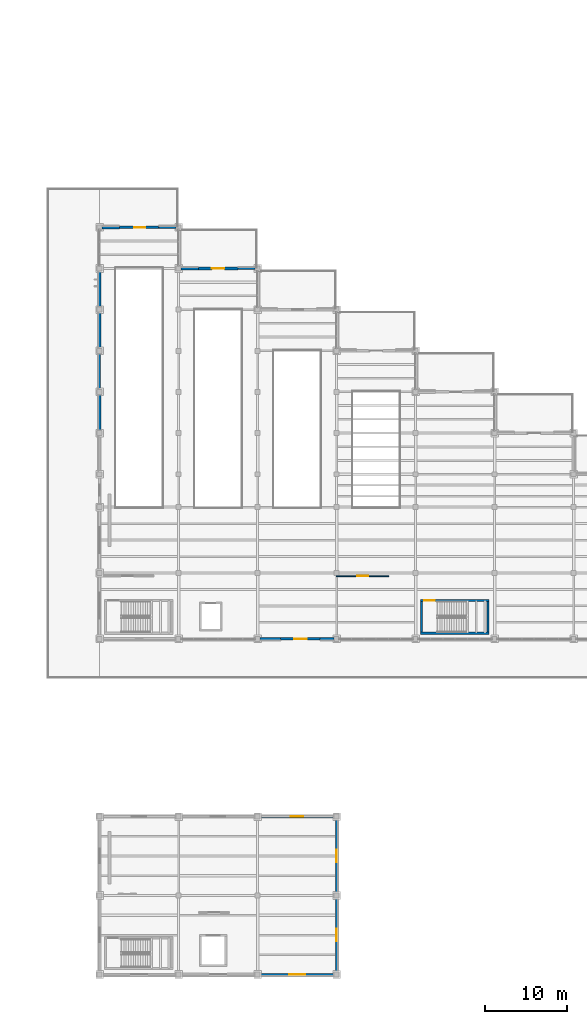
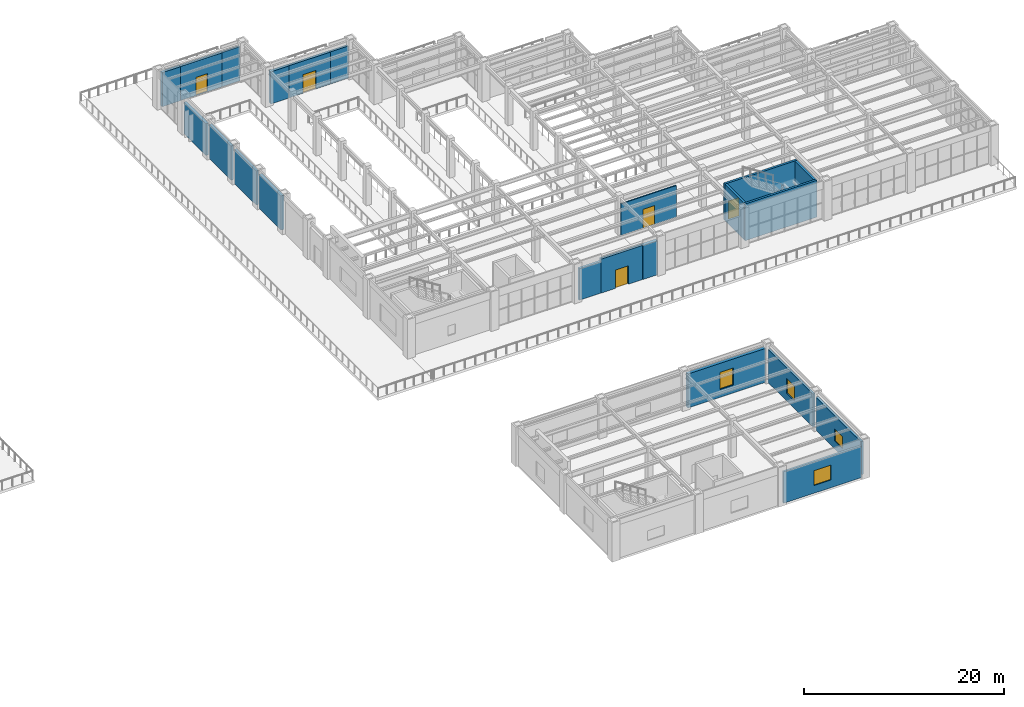
# One storey, part 62 of 83: 22 walls, 5 doors, 4 windows, 9 openings.
"""IFC4 building model written with IfcOpenShell, lengths in metres."""

from ifc_helpers import new_model, si_unit, direction, frame, frame_2d, origin, place, context, subcontext, project, spatial, rectangle, extrude, material, layer, layer_set, type_object, element, fill, save


model = new_model("IFC4")

# Units and contexts
model_context = context("Model", 3, precision=1e-05, world=origin(), true_north=direction((0.0, 1.0)))
body_context = subcontext(model_context, "Body", "Model", "MODEL_VIEW")
ifc_project = project(units=[si_unit("LENGTHUNIT", "METRE"), si_unit("AREAUNIT", "SQUARE_METRE"), si_unit("VOLUMEUNIT", "CUBIC_METRE"), si_unit("PLANEANGLEUNIT", "RADIAN"), si_unit("MASSUNIT", "GRAM", prefix="KILO")], contexts=[model_context])

# Site, building, storey
site_placement = place(None, origin())
site = spatial("IfcSite", under=ifc_project, at=site_placement, CompositionType="ELEMENT")
building_placement = place(site_placement, origin())
building = spatial("IfcBuilding", under=site, at=building_placement, Name="Mavantir Sound Aquarium", CompositionType="ELEMENT")
storey_placement = place(building_placement, frame((0.0, 0.0, 10.5)))
storey = spatial("IfcBuildingStorey", under=building, at=storey_placement, Name="L02", CompositionType="ELEMENT", Elevation=10.5)

# Wall, opening, door
ifc_material_1 = material(Name="Coral-Buff Architectural Precast Concrete C40/50", Category="concrete")
ifc_layer_1 = layer(ifc_material_1, 0.31005859375, Name="Coral-Buff Architectural Precast Concrete C40/50")
ifc_layer_set_1 = layer_set([ifc_layer_1], Name="Coral-Buff Architectural Precast Concrete C40/50")
wall_type_1 = type_object("IfcWallType", Name="EW-CORAL-310", PredefinedType="SOLIDWALL", material=ifc_layer_set_1)
wall_1_placement = place(storey_placement, frame((130.0, 40.800048828125, 0.0), z_axis=(0.0, 0.0, 1.0), x_axis=(1.0, 0.0, 0.0)))
wall_1 = element("IfcWall", 1, at=wall_1_placement, inside=storey, type_object=wall_type_1, Name="L02 terrace portal wall 20", PredefinedType="SOLIDWALL", context=body_context, shape_type="SweptSolid", body=[
    extrude(rectangle(XDim=4.800048828125, YDim=0.31005859375, at=frame_2d((2.39990234375, 0.0))), origin(), (0.0, 0.0, 1.0), 4.14794921875),
])
opening_1_placement = place(wall_1_placement, frame((3.14990234375, 0.0, 0.0), z_axis=(0.0, 0.0, 1.0), x_axis=(-1.0, 0.0, 0.0)))
opening_1 = element("IfcOpeningElement", 2, at=opening_1_placement, cuts=wall_1, Name="Opening ETD-01", PredefinedType="OPENING", context=body_context, shape_type="SweptSolid", body=[
    extrude(rectangle(XDim=1.5, YDim=2.25, at=frame_2d((0.75, 1.125))), frame((0.0, 0.1650390625, 0.0), z_axis=(0.0, -1.0, 0.0), x_axis=(1.0, 0.0, 0.0)), (0.0, 0.0, 1.0), 0.330078125),
])
ifc_material_2 = material(Name="Marine-Grade Anodised Aluminium and Laminated Glass", Category="aluminium")
door_type_1 = type_object("IfcDoorType", Name="DR-TER-150", OperationType="NOTDEFINED", PredefinedType="DOOR", material=ifc_material_2)
door_1_placement = place(opening_1_placement, origin())
door_1 = element("IfcDoor", 3, at=door_1_placement, inside=storey, type_object=door_type_1, Name="L02 terrace access door 20", OperationType="SINGLE_SWING_LEFT", OverallHeight=2.25, OverallWidth=1.5, PredefinedType="DOOR", context=body_context, shape_type="SweptSolid", body=[
    extrude(rectangle(XDim=1.5, YDim=2.25, at=frame_2d((0.75, 1.125))), frame((0.0, 0.02490234375, 0.0), z_axis=(0.0, -1.0, 0.0), x_axis=(1.0, 0.0, 0.0)), (0.0, 0.0, 1.0), 0.050048828125),
])
fill(opening_1, door_1)

wall_2_placement = place(storey_placement, frame((115.199951171875, 90.800048828125, 0.0), z_axis=(0.0, 0.0, 1.0), x_axis=(-1.0, 0.0, 0.0)))
wall_2 = element("IfcWall", 4, at=wall_2_placement, inside=storey, type_object=wall_type_1, Name="L02 terrace portal wall 21", PredefinedType="SOLIDWALL", context=body_context, shape_type="SweptSolid", body=[
    extrude(rectangle(XDim=4.800048828125, YDim=0.31005859375, at=frame_2d((2.39990234375, 0.0))), origin(), (0.0, 0.0, 1.0), 4.14794921875),
])
opening_2_placement = place(wall_2_placement, frame((3.0, 0.0, 0.0), z_axis=(0.0, 0.0, 1.0), x_axis=(-1.0, 0.0, 0.0)))
opening_2 = element("IfcOpeningElement", 5, at=opening_2_placement, cuts=wall_2, Name="Opening ETD-02", PredefinedType="OPENING", context=body_context, shape_type="SweptSolid", body=[
    extrude(rectangle(XDim=1.35009765625, YDim=2.199951171875, at=frame_2d((0.675048828125, 1.10009765625))), frame((0.0, 0.1650390625, 0.0), z_axis=(0.0, -1.0, 0.0), x_axis=(1.0, 0.0, 0.0)), (0.0, 0.0, 1.0), 0.330078125),
])
door_type_2 = type_object("IfcDoorType", Name="DR-TER-135", OperationType="NOTDEFINED", PredefinedType="DOOR", material=ifc_material_2)
door_2_placement = place(opening_2_placement, origin())
door_2 = element("IfcDoor", 6, at=door_2_placement, inside=storey, type_object=door_type_2, Name="L02 terrace access door 21", OperationType="SINGLE_SWING_RIGHT", OverallHeight=2.199951171875, OverallWidth=1.35009765625, PredefinedType="DOOR", context=body_context, shape_type="SweptSolid", body=[
    extrude(rectangle(XDim=1.35009765625, YDim=2.199951171875, at=frame_2d((0.675048828125, 1.10009765625))), frame((0.0, 0.02490234375, 0.0), z_axis=(0.0, -1.0, 0.0), x_axis=(1.0, 0.0, 0.0)), (0.0, 0.0, 1.0), 0.050048828125),
])
fill(opening_2, door_2)

wall_3_placement = place(storey_placement, frame((124.800048828125, 85.800048828125, 0.0), z_axis=(0.0, 0.0, 1.0), x_axis=(-1.0, 0.0, 0.0)))
wall_3 = element("IfcWall", 7, at=wall_3_placement, inside=storey, type_object=wall_type_1, Name="L02 terrace portal wall 22", PredefinedType="SOLIDWALL", context=body_context, shape_type="SweptSolid", body=[
    extrude(rectangle(XDim=4.800048828125, YDim=0.31005859375, at=frame_2d((2.39990234375, 0.0))), origin(), (0.0, 0.0, 1.0), 3.912109375),
])
opening_3_placement = place(wall_3_placement, frame((3.14990234375, 0.0, 0.0), z_axis=(0.0, 0.0, 1.0), x_axis=(-1.0, 0.0, 0.0)))
opening_3 = element("IfcOpeningElement", 8, at=opening_3_placement, cuts=wall_3, Name="Opening ETD-01", PredefinedType="OPENING", context=body_context, shape_type="SweptSolid", body=[
    extrude(rectangle(XDim=1.5, YDim=2.25, at=frame_2d((0.75, 1.125))), frame((0.0, 0.1650390625, 0.0), z_axis=(0.0, -1.0, 0.0), x_axis=(1.0, 0.0, 0.0)), (0.0, 0.0, 1.0), 0.330078125),
])
door_3_placement = place(opening_3_placement, origin())
door_3 = element("IfcDoor", 9, at=door_3_placement, inside=storey, type_object=door_type_1, Name="L02 terrace access door 22", OperationType="SINGLE_SWING_LEFT", OverallHeight=2.25, OverallWidth=1.5, PredefinedType="DOOR", context=body_context, shape_type="SweptSolid", body=[
    extrude(rectangle(XDim=1.5, YDim=2.25, at=frame_2d((0.75, 1.125))), frame((0.0, 0.02490234375, 0.0), z_axis=(0.0, -1.0, 0.0), x_axis=(1.0, 0.0, 0.0)), (0.0, 0.0, 1.0), 0.050048828125),
])
fill(opening_3, door_3)

# Walls
wall_4_placement = place(storey_placement, frame((108.0, 85.491943359375, 0.0), z_axis=(0.0, 0.0, 1.0), x_axis=(0.0, -1.0, 0.0)))
element("IfcWall", 10, at=wall_4_placement, inside=storey, type_object=wall_type_1, Name="L02 exterior facade wall EW-02 266", PredefinedType="SOLIDWALL", context=body_context, shape_type="SweptSolid", body=[
    extrude(rectangle(XDim=4.384033203125, YDim=0.31005859375, at=frame_2d((2.19189453125, 0.0))), origin(), (0.0, 0.0, 1.0), 3.843994140625),
])
ifc_layer_2 = layer(ifc_material_1, 0.340087890625, Name="Coral-Buff Architectural Precast Concrete C40/50")
ifc_layer_set_2 = layer_set([ifc_layer_2], Name="Coral-Buff Architectural Precast Concrete C40/50")
wall_type_2 = type_object("IfcWallType", Name="EW-CORAL-340", PredefinedType="SOLIDWALL", material=ifc_layer_set_2)
wall_5_placement = place(storey_placement, frame((110.39501953125, 90.800048828125, 0.0), z_axis=(0.0, 0.0, 1.0), x_axis=(-1.0, 0.0, 0.0)))
element("IfcWall", 11, at=wall_5_placement, inside=storey, type_object=wall_type_2, Name="L02 exterior facade wall EW-01 265", PredefinedType="SOLIDWALL", context=body_context, shape_type="SweptSolid", body=[
    extrude(rectangle(XDim=2.0869140625, YDim=0.340087890625, at=frame_2d((1.04345703125, 0.0))), origin(), (0.0, 0.0, 1.0), 4.14794921875),
])
ifc_material_3 = material(Name="Architectural Precast Concrete C40/50", Category="concrete")
ifc_layer_3 = layer(ifc_material_3, 0.239990234375, Name="Architectural Precast Concrete C40/50")
ifc_layer_set_3 = layer_set([ifc_layer_3], Name="Architectural Precast Concrete C40/50")
wall_type_3 = type_object("IfcWallType", Name="EW-PRE-240", PredefinedType="SOLIDWALL", material=ifc_layer_set_3)
wall_6_placement = place(storey_placement, frame((117.2919921875, 90.800048828125, 0.0), z_axis=(0.0, 0.0, 1.0), x_axis=(-1.0, 0.0, 0.0)))
element("IfcWall", 12, at=wall_6_placement, inside=storey, type_object=wall_type_3, Name="L02 exterior facade wall EW-06 264", PredefinedType="SOLIDWALL", context=body_context, shape_type="SweptSolid", body=[
    extrude(rectangle(XDim=2.0869140625, YDim=0.239990234375, at=frame_2d((1.04345703125, 0.0))), origin(), (0.0, 0.0, 1.0), 4.14794921875),
])

# Wall, opening, window
wall_7_placement = place(storey_placement, frame((127.508056640625, 0.0, 0.0), z_axis=(0.0, 0.0, 1.0), x_axis=(1.0, 0.0, 0.0)))
wall_7 = element("IfcWall", 13, at=wall_7_placement, inside=storey, type_object=wall_type_3, Name="L02 exterior facade wall EW-06 300", PredefinedType="SOLIDWALL", context=body_context, shape_type="SweptSolid", body=[
    extrude(rectangle(XDim=8.98388671875, YDim=0.239990234375, at=frame_2d((4.491943359375, 0.0))), origin(), (0.0, 0.0, 1.0), 3.8349609375),
])
opening_4_placement = place(wall_7_placement, frame((3.51708984375, 0.0, 0.949951171875)))
opening_4 = element("IfcOpeningElement", 14, at=opening_4_placement, cuts=wall_7, Name="Opening W-23", PredefinedType="OPENING", context=body_context, shape_type="SweptSolid", body=[
    extrude(rectangle(XDim=1.949951171875, YDim=1.800048828125, at=frame_2d((0.97509765625, 0.89990234375))), frame((0.0, 0.1298828125, 0.0), z_axis=(0.0, -1.0, 0.0), x_axis=(1.0, 0.0, 0.0)), (0.0, 0.0, 1.0), 0.260009765625),
])
ifc_material_4 = material(Name="Thermally Broken Aluminium and Low-E Glass", Category="aluminium")
window_type_1 = type_object("IfcWindowType", Name="WIN-EXT-23", PartitioningType="DOUBLE_PANEL_VERTICAL", PredefinedType="WINDOW", material=ifc_material_4)
window_1_placement = place(opening_4_placement, origin())
window_1 = element("IfcWindow", 15, at=window_1_placement, inside=storey, type_object=window_type_1, Name="L02 facade window W-23 119", OverallHeight=1.800048828125, OverallWidth=1.949951171875, PartitioningType="SINGLE_PANEL", PredefinedType="WINDOW", context=body_context, shape_type="SweptSolid", body=[
    extrude(rectangle(XDim=1.949951171875, YDim=1.800048828125, at=frame_2d((0.97509765625, 0.89990234375))), frame((0.0, 0.030029296875, 0.0), z_axis=(0.0, -1.0, 0.0), x_axis=(1.0, 0.0, 0.0)), (0.0, 0.0, 1.0), 0.06005859375),
])
fill(opening_4, window_1)

# Walls
ifc_layer_4 = layer(ifc_material_1, 0.360107421875, Name="Coral-Buff Architectural Precast Concrete C40/50")
ifc_layer_set_4 = layer_set([ifc_layer_4], Name="Coral-Buff Architectural Precast Concrete C40/50")
wall_type_4 = type_object("IfcWallType", Name="EW-PRE-360", PredefinedType="SOLIDWALL", material=ifc_layer_set_4)
wall_8_placement = place(storey_placement, frame((119.9951171875, 85.800048828125, 0.0), z_axis=(0.0, 0.0, 1.0), x_axis=(-1.0, 0.0, 0.0)))
element("IfcWall", 16, at=wall_8_placement, inside=storey, type_object=wall_type_4, Name="L02 exterior facade wall EW-05 263", PredefinedType="SOLIDWALL", context=body_context, shape_type="SweptSolid", body=[
    extrude(rectangle(XDim=2.087158203125, YDim=0.360107421875, at=frame_2d((1.04345703125, 0.0))), origin(), (0.0, 0.0, 1.0), 3.912109375),
])
wall_9_placement = place(storey_placement, frame((108.0, 70.491943359375, 0.0), z_axis=(0.0, 0.0, 1.0), x_axis=(0.0, -1.0, 0.0)))
element("IfcWall", 17, at=wall_9_placement, inside=storey, type_object=wall_type_4, Name="L02 exterior facade wall EW-05 269", PredefinedType="SOLIDWALL", context=body_context, shape_type="SweptSolid", body=[
    extrude(rectangle(XDim=4.384033203125, YDim=0.360107421875, at=frame_2d((2.19189453125, 0.0))), origin(), (0.0, 0.0, 1.0), 4.156005859375),
])
wall_10_placement = place(storey_placement, frame((134.804931640625, 40.800048828125, 0.0), z_axis=(0.0, 0.0, 1.0), x_axis=(1.0, 0.0, 0.0)))
element("IfcWall", 18, at=wall_10_placement, inside=storey, type_object=wall_type_4, Name="L02 exterior facade wall EW-05 275", PredefinedType="SOLIDWALL", context=body_context, shape_type="SweptSolid", body=[
    extrude(rectangle(XDim=1.68701171875, YDim=0.360107421875, at=frame_2d((0.843505859375, 0.0))), origin(), (0.0, 0.0, 1.0), 4.14794921875),
])

# Wall, opening, window
wall_11_placement = place(storey_placement, frame((136.491943359375, 19.199951171875, 0.0), z_axis=(0.0, 0.0, 1.0), x_axis=(-1.0, 0.0, 0.0)))
wall_11 = element("IfcWall", 19, at=wall_11_placement, inside=storey, type_object=wall_type_4, Name="L02 exterior facade wall EW-05 293", PredefinedType="SOLIDWALL", context=body_context, shape_type="SweptSolid", body=[
    extrude(rectangle(XDim=8.98388671875, YDim=0.360107421875, at=frame_2d((4.491943359375, 0.0))), origin(), (0.0, 0.0, 1.0), 4.137939453125),
])
opening_5_placement = place(wall_11_placement, frame((3.717041015625, 0.0, 0.949951171875)))
opening_5 = element("IfcOpeningElement", 20, at=opening_5_placement, cuts=wall_11, Name="Opening W-16", PredefinedType="OPENING", context=body_context, shape_type="SweptSolid", body=[
    extrude(rectangle(XDim=1.550048828125, YDim=2.10009765625, at=frame_2d((0.77490234375, 1.050048828125))), frame((0.0, 0.18994140625, 0.0), z_axis=(0.0, -1.0, 0.0), x_axis=(1.0, 0.0, 0.0)), (0.0, 0.0, 1.0), 0.380126953125),
])
window_type_2 = type_object("IfcWindowType", Name="WIN-EXT-16", PartitioningType="SINGLE_PANEL", PredefinedType="WINDOW", material=ifc_material_4)
window_2_placement = place(opening_5_placement, origin())
window_2 = element("IfcWindow", 21, at=window_2_placement, inside=storey, type_object=window_type_2, Name="L02 facade window W-16 112", OverallHeight=2.10009765625, OverallWidth=1.550048828125, PartitioningType="SINGLE_PANEL", PredefinedType="WINDOW", context=body_context, shape_type="SweptSolid", body=[
    extrude(rectangle(XDim=1.550048828125, YDim=2.10009765625, at=frame_2d((0.77490234375, 1.050048828125))), frame((0.0, 0.030029296875, 0.0), z_axis=(0.0, -1.0, 0.0), x_axis=(1.0, 0.0, 0.0)), (0.0, 0.0, 1.0), 0.06005859375),
])
fill(opening_5, window_2)

# Walls
ifc_material_5 = material(Name="Cerulean Glazed Terracotta Rainscreen on Concrete C40/50", Category="masonry")
ifc_layer_5 = layer(ifc_material_5, 0.27001953125, Name="Cerulean Glazed Terracotta Rainscreen on Concrete C40/50")
ifc_layer_set_5 = layer_set([ifc_layer_5], Name="Cerulean Glazed Terracotta Rainscreen on Concrete C40/50")
wall_type_5 = type_object("IfcWallType", Name="EW-TERRA-270", PredefinedType="SOLIDWALL", material=ifc_layer_set_5)
wall_12_placement = place(storey_placement, frame((126.89208984375, 85.800048828125, 0.0), z_axis=(0.0, 0.0, 1.0), x_axis=(-1.0, 0.0, 0.0)))
element("IfcWall", 22, at=wall_12_placement, inside=storey, type_object=wall_type_5, Name="L02 exterior facade wall EW-04 262", PredefinedType="SOLIDWALL", context=body_context, shape_type="SweptSolid", body=[
    extrude(rectangle(XDim=2.087158203125, YDim=0.27001953125, at=frame_2d((1.04345703125, 0.0))), origin(), (0.0, 0.0, 1.0), 3.912109375),
])
wall_13_placement = place(storey_placement, frame((108.0, 75.491943359375, 0.0), z_axis=(0.0, 0.0, 1.0), x_axis=(0.0, -1.0, 0.0)))
element("IfcWall", 23, at=wall_13_placement, inside=storey, type_object=wall_type_5, Name="L02 exterior facade wall EW-04 268", PredefinedType="SOLIDWALL", context=body_context, shape_type="SweptSolid", body=[
    extrude(rectangle(XDim=4.384033203125, YDim=0.27001953125, at=frame_2d((2.19189453125, 0.0))), origin(), (0.0, 0.0, 1.0), 4.156005859375),
])
wall_14_placement = place(storey_placement, frame((127.508056640625, 40.800048828125, 0.0), z_axis=(0.0, 0.0, 1.0), x_axis=(1.0, 0.0, 0.0)))
element("IfcWall", 24, at=wall_14_placement, inside=storey, type_object=wall_type_5, Name="L02 exterior facade wall EW-04 274", PredefinedType="SOLIDWALL", context=body_context, shape_type="SweptSolid", body=[
    extrude(rectangle(XDim=2.487060546875, YDim=0.27001953125, at=frame_2d((1.24365234375, 0.0))), origin(), (0.0, 0.0, 1.0), 3.844970703125),
])

# Wall, opening, window
wall_15_placement = place(storey_placement, frame((136.800048828125, 9.907958984375, 0.0), z_axis=(0.0, 0.0, 1.0), x_axis=(0.0, 1.0, 0.0)))
wall_15 = element("IfcWall", 25, at=wall_15_placement, inside=storey, type_object=wall_type_5, Name="L02 exterior facade wall EW-04 292", PredefinedType="SOLIDWALL", context=body_context, shape_type="SweptSolid", body=[
    extrude(rectangle(XDim=8.984130859375, YDim=0.27001953125, at=frame_2d((4.4921875, 0.0))), origin(), (0.0, 0.0, 1.0), 4.029052734375),
])
opening_6_placement = place(wall_15_placement, frame((3.717041015625, 0.0, 0.949951171875)))
opening_6 = element("IfcOpeningElement", 26, at=opening_6_placement, cuts=wall_15, Name="Opening W-15", PredefinedType="OPENING", context=body_context, shape_type="SweptSolid", body=[
    extrude(rectangle(XDim=1.550048828125, YDim=1.800048828125, at=frame_2d((0.77490234375, 0.89990234375))), frame((0.0, 0.14501953125, 0.0), z_axis=(0.0, -1.0, 0.0), x_axis=(1.0, 0.0, 0.0)), (0.0, 0.0, 1.0), 0.2900390625),
])
window_type_3 = type_object("IfcWindowType", Name="WIN-EXT-15", PartitioningType="SINGLE_PANEL", PredefinedType="WINDOW", material=ifc_material_4)
window_3_placement = place(opening_6_placement, origin())
window_3 = element("IfcWindow", 27, at=window_3_placement, inside=storey, type_object=window_type_3, Name="L02 facade window W-15 111", OverallHeight=1.800048828125, OverallWidth=1.550048828125, PartitioningType="SINGLE_PANEL", PredefinedType="WINDOW", context=body_context, shape_type="SweptSolid", body=[
    extrude(rectangle(XDim=1.550048828125, YDim=1.800048828125, at=frame_2d((0.77490234375, 0.89990234375))), frame((0.0, 0.030029296875, 0.0), z_axis=(0.0, -1.0, 0.0), x_axis=(1.0, 0.0, 0.0)), (0.0, 0.0, 1.0), 0.06005859375),
])
fill(opening_6, window_3)

# Wall
ifc_material_6 = material(Name="Turquoise Glazed Terracotta Rainscreen on Concrete C40/50", Category="masonry")
ifc_layer_6 = layer(ifc_material_6, 0.2900390625, Name="Turquoise Glazed Terracotta Rainscreen on Concrete C40/50")
ifc_layer_set_6 = layer_set([ifc_layer_6], Name="Turquoise Glazed Terracotta Rainscreen on Concrete C40/50")
wall_type_6 = type_object("IfcWallType", Name="EW-TERRA-290", PredefinedType="SOLIDWALL", material=ifc_layer_set_6)
wall_16_placement = place(storey_placement, frame((108.0, 80.491943359375, 0.0), z_axis=(0.0, 0.0, 1.0), x_axis=(0.0, -1.0, 0.0)))
element("IfcWall", 28, at=wall_16_placement, inside=storey, type_object=wall_type_6, Name="L02 exterior facade wall EW-03 267", PredefinedType="SOLIDWALL", context=body_context, shape_type="SweptSolid", body=[
    extrude(rectangle(XDim=4.384033203125, YDim=0.2900390625, at=frame_2d((2.19189453125, 0.0))), origin(), (0.0, 0.0, 1.0), 4.156005859375),
])

# Wall, opening, window
wall_17_placement = place(storey_placement, frame((136.800048828125, 0.30810546875, 0.0), z_axis=(0.0, 0.0, 1.0), x_axis=(0.0, 1.0, 0.0)))
wall_17 = element("IfcWall", 29, at=wall_17_placement, inside=storey, type_object=wall_type_6, Name="L02 exterior facade wall EW-03 291", PredefinedType="SOLIDWALL", context=body_context, shape_type="SweptSolid", body=[
    extrude(rectangle(XDim=8.98388671875, YDim=0.2900390625, at=frame_2d((4.491943359375, 0.0))), origin(), (0.0, 0.0, 1.0), 4.029052734375),
])
opening_7_placement = place(wall_17_placement, frame((3.717041015625, 0.0, 0.949951171875)))
opening_7 = element("IfcOpeningElement", 30, at=opening_7_placement, cuts=wall_17, Name="Opening W-14", PredefinedType="OPENING", context=body_context, shape_type="SweptSolid", body=[
    extrude(rectangle(XDim=1.550048828125, YDim=1.5, at=frame_2d((0.77490234375, 0.75))), frame((0.0, 0.155029296875, 0.0), z_axis=(0.0, -1.0, 0.0), x_axis=(1.0, 0.0, 0.0)), (0.0, 0.0, 1.0), 0.31005859375),
])
window_type_4 = type_object("IfcWindowType", Name="WIN-EXT-14", PartitioningType="SINGLE_PANEL", PredefinedType="WINDOW", material=ifc_material_4)
window_4_placement = place(opening_7_placement, origin())
window_4 = element("IfcWindow", 31, at=window_4_placement, inside=storey, type_object=window_type_4, Name="L02 facade window W-14 110", OverallHeight=1.5, OverallWidth=1.550048828125, PartitioningType="SINGLE_PANEL", PredefinedType="WINDOW", context=body_context, shape_type="SweptSolid", body=[
    extrude(rectangle(XDim=1.550048828125, YDim=1.5, at=frame_2d((0.77490234375, 0.75))), frame((0.0, 0.030029296875, 0.0), z_axis=(0.0, -1.0, 0.0), x_axis=(1.0, 0.0, 0.0)), (0.0, 0.0, 1.0), 0.06005859375),
])
fill(opening_7, window_4)

# Wall, opening, door
ifc_material_7 = material(Name="Acoustic Metal-Stud Gypsum Partition", Category="gypsum")
ifc_layer_7 = layer(ifc_material_7, 0.1298828125, Name="Acoustic Metal-Stud Gypsum Partition")
ifc_layer_set_7 = layer_set([ifc_layer_7], Name="Acoustic Metal-Stud Gypsum Partition")
wall_type_7 = type_object("IfcWallType", Name="IW-PART-130", PredefinedType="PARTITIONING", material=ifc_layer_set_7)
wall_18_placement = place(storey_placement, frame((136.75, 48.425048828125, 0.0), z_axis=(0.0, 0.0, 1.0), x_axis=(1.0, 0.0, 0.0)))
wall_18 = element("IfcWall", 32, at=wall_18_placement, inside=storey, type_object=wall_type_7, Name="L02 Pelagic Shoals Scalloped Exhibit Gallery entry partition", PredefinedType="PARTITIONING", context=body_context, shape_type="SweptSolid", body=[
    extrude(rectangle(XDim=6.39990234375, YDim=0.1298828125, at=frame_2d((3.199951171875, 0.0))), origin(), (0.0, 0.0, 1.0), 3.843994140625),
])
opening_8_placement = place(wall_18_placement, frame((2.530029296875, 0.0, 0.0)))
opening_8 = element("IfcOpeningElement", 33, at=opening_8_placement, cuts=wall_18, Name="Opening ID-11", PredefinedType="OPENING", context=body_context, shape_type="SweptSolid", body=[
    extrude(rectangle(XDim=1.340087890625, YDim=2.280029296875, at=frame_2d((0.669921875, 1.14013671875))), frame((0.0, 0.074951171875, 0.0), z_axis=(0.0, -1.0, 0.0), x_axis=(1.0, 0.0, 0.0)), (0.0, 0.0, 1.0), 0.14990234375),
])
ifc_material_8 = material(Name="Solid-Core Marine Hardwood and Vision-Panel Door", Category="wood")
door_type_3 = type_object("IfcDoorType", Name="DR-INT-11", OperationType="NOTDEFINED", PredefinedType="DOOR", material=ifc_material_8)
door_4_placement = place(opening_8_placement, origin())
door_4 = element("IfcDoor", 34, at=door_4_placement, inside=storey, type_object=door_type_3, Name="Pelagic Shoals Scalloped Exhibit Gallery door", OperationType="SINGLE_SWING_RIGHT", OverallHeight=2.280029296875, OverallWidth=1.340087890625, PredefinedType="DOOR", context=body_context, shape_type="SweptSolid", body=[
    extrude(rectangle(XDim=1.340087890625, YDim=2.280029296875, at=frame_2d((0.669921875, 1.14013671875))), frame((0.0, 0.02490234375, 0.0), z_axis=(0.0, -1.0, 0.0), x_axis=(1.0, 0.0, 0.0)), (0.0, 0.0, 1.0), 0.050048828125),
])
fill(opening_8, door_4)

# Wall
ifc_material_9 = material(Name="Concrete C40/50", Category="concrete")
ifc_layer_8 = layer(ifc_material_9, 0.25, Name="Concrete C40/50")
ifc_layer_set_8 = layer_set([ifc_layer_8], Name="Concrete C40/50")
wall_type_8 = type_object("IfcWallType", Name="IW-SHAFT-250", PredefinedType="SHEAR", material=ifc_layer_set_8)
wall_19_placement = place(storey_placement, frame((147.0, 41.47509765625, 0.0), z_axis=(0.0, 0.0, 1.0), x_axis=(1.0, 0.0, 0.0)))
element("IfcWall", 35, at=wall_19_placement, inside=storey, type_object=wall_type_8, Name="L02 stair ST12 shaft wall S", PredefinedType="SHEAR", context=body_context, shape_type="SweptSolid", body=[
    extrude(rectangle(XDim=8.300048828125, YDim=0.25, at=frame_2d((4.14990234375, 0.0))), origin(), (0.0, 0.0, 1.0), 4.489990234375),
])

# Wall, opening, door
wall_20_placement = place(storey_placement, frame((155.300048828125, 45.47509765625, 0.0), z_axis=(0.0, 0.0, 1.0), x_axis=(-1.0, 0.0, 0.0)))
wall_20 = element("IfcWall", 36, at=wall_20_placement, inside=storey, type_object=wall_type_8, Name="L02 stair ST12 shaft wall N", PredefinedType="SHEAR", context=body_context, shape_type="SweptSolid", body=[
    extrude(rectangle(XDim=8.300048828125, YDim=0.25, at=frame_2d((4.14990234375, 0.0))), origin(), (0.0, 0.0, 1.0), 4.489990234375),
])
opening_9_placement = place(wall_20_placement, frame((7.85009765625, 0.0, 0.0), z_axis=(0.0, 0.0, 1.0), x_axis=(-1.0, 0.0, 0.0)))
opening_9 = element("IfcOpeningElement", 37, at=opening_9_placement, cuts=wall_20, Name="Opening SD-01", PredefinedType="OPENING", context=body_context, shape_type="SweptSolid", body=[
    extrude(rectangle(XDim=1.25, YDim=2.199951171875, at=frame_2d((0.625, 1.10009765625))), frame((0.0, 0.135009765625, 0.0), z_axis=(0.0, -1.0, 0.0), x_axis=(1.0, 0.0, 0.0)), (0.0, 0.0, 1.0), 0.27001953125),
])
ifc_material_10 = material(Name="Fire-Rated Steel Acoustic Door Leaf", Category="steel")
door_type_4 = type_object("IfcDoorType", Name="DR-ST-125", OperationType="NOTDEFINED", PredefinedType="DOOR", material=ifc_material_10)
door_5_placement = place(opening_9_placement, origin())
door_5 = element("IfcDoor", 38, at=door_5_placement, inside=storey, type_object=door_type_4, Name="L02 protected exit stair ST12 door", OperationType="SINGLE_SWING_LEFT", OverallHeight=2.199951171875, OverallWidth=1.25, PredefinedType="DOOR", context=body_context, shape_type="SweptSolid", body=[
    extrude(rectangle(XDim=1.25, YDim=2.199951171875, at=frame_2d((0.625, 1.10009765625))), frame((0.0, 0.02490234375, 0.0), z_axis=(0.0, -1.0, 0.0), x_axis=(1.0, 0.0, 0.0)), (0.0, 0.0, 1.0), 0.050048828125),
])
fill(opening_9, door_5)

# Walls
for number, where, z_axis, x_axis, name in (
    (39, (147.125, 45.35009765625, 0.0), (0.0, 0.0, 1.0), (0.0, -1.0, 0.0), "L02 stair ST12 shaft wall W"),
    (40, (155.175048828125, 41.60009765625, 0.0), (0.0, 0.0, 1.0), (0.0, 1.0, 0.0), "L02 stair ST12 shaft wall E"),
):
    element("IfcWall", number, at=place(storey_placement, frame(where, z_axis=z_axis, x_axis=x_axis)), inside=storey, type_object=wall_type_8, Name=name, PredefinedType="SHEAR", context=body_context, shape_type="SweptSolid", body=[
        extrude(rectangle(XDim=3.75, YDim=0.25, at=frame_2d((1.875, 0.0))), origin(), (0.0, 0.0, 1.0), 4.489990234375),
    ])

save(model, "model.ifc")
